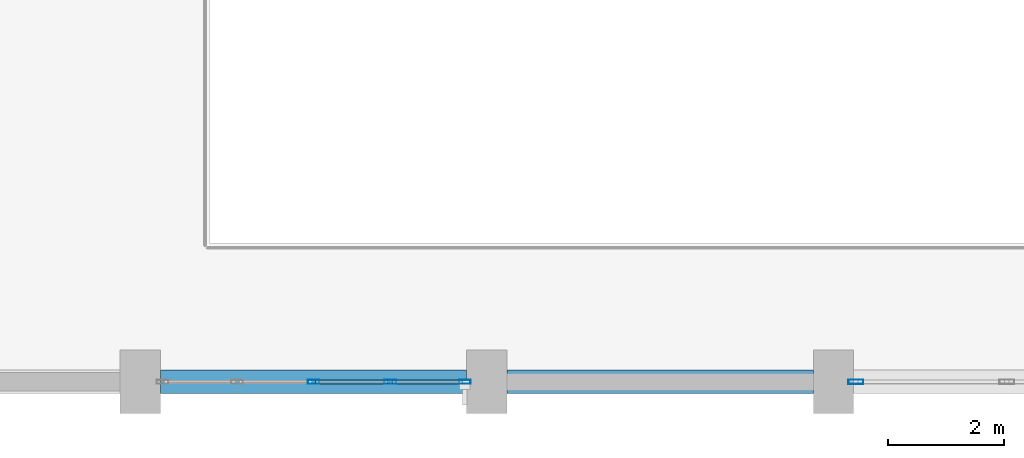
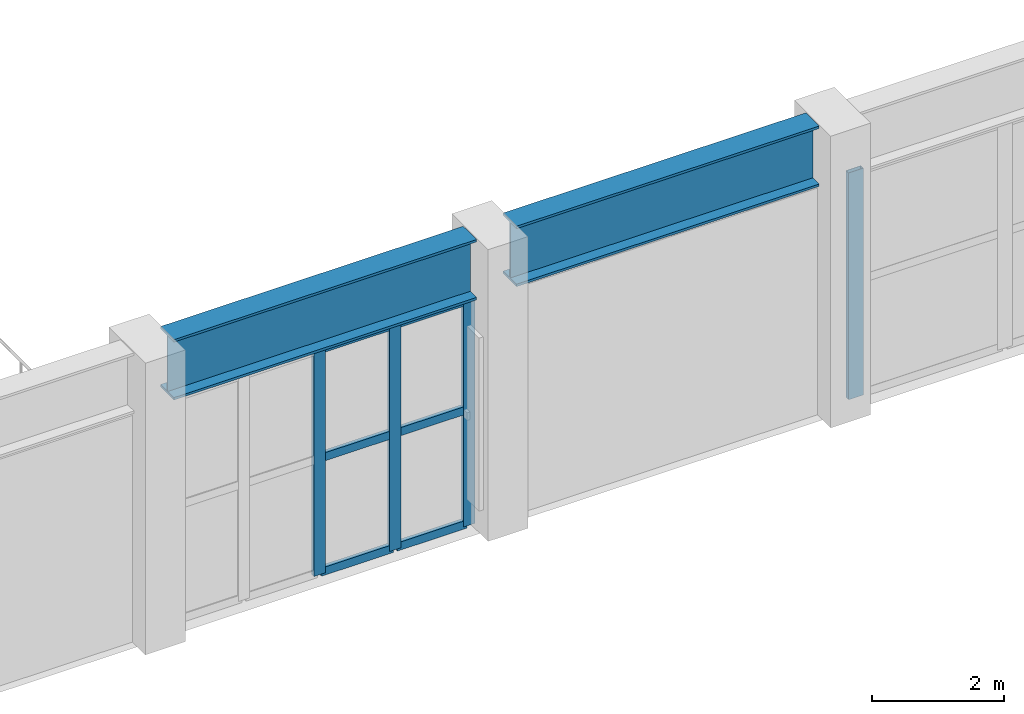
# One storey, part 5 of 41: 10 members, 2 beams, 2 elements without a shape of their own.
"""IFC4 building model written with IfcOpenShell, lengths in metres."""

from ifc_helpers import new_model, si_unit, direction, frame, origin, origin_2d, place, context, subcontext, project, spatial, hollow_rectangle, i_section, extrude, material, layer, layer_set, material_profile, profile_set, type_object, element, aggregate, save


model = new_model("IFC4")

# Units and contexts
model_context = context("Model", 3, precision=1e-05, world=origin(), true_north=direction((0.0, 1.0)))
body_context = subcontext(model_context, "Body", "Model", "MODEL_VIEW")
ifc_project = project(units=[si_unit("LENGTHUNIT", "METRE"), si_unit("AREAUNIT", "SQUARE_METRE"), si_unit("VOLUMEUNIT", "CUBIC_METRE"), si_unit("PLANEANGLEUNIT", "RADIAN"), si_unit("MASSUNIT", "GRAM", prefix="KILO")], contexts=[model_context])

# Site, building, storey
site_placement = place(None, origin())
site = spatial("IfcSite", under=ifc_project, at=site_placement, CompositionType="ELEMENT")
building_placement = place(site_placement, origin())
building = spatial("IfcBuilding", under=site, at=building_placement, Name="Vaelkrest Opera House", CompositionType="ELEMENT")
storey_placement = place(building_placement, frame((0.0, 0.0, 24.60009765625)))
storey = spatial("IfcBuildingStorey", under=building, at=storey_placement, Name="L05", CompositionType="ELEMENT", Elevation=24.60009765625)

# Curtain wall, members
ifc_material_1 = material(Name="Dark bronze anodized aluminium", Category="aluminium")
ifc_layer_1 = layer(ifc_material_1, 0.18994140625)
ifc_layer_set_1 = layer_set([ifc_layer_1], Name="Dark bronze anodized aluminium")
curtain_wall_type_1 = type_object("IfcCurtainWallType", Name="CW02", PredefinedType="NOTDEFINED", material=ifc_layer_set_1)
curtain_wall_1_placement = place(storey_placement, origin())
curtain_wall_1 = element("IfcCurtainWall", 1, at=curtain_wall_1_placement, inside=storey, type_object=curtain_wall_type_1, Name="Curtain wall CW-L05-072", PredefinedType="NOTDEFINED")
ifc_material_profile_1 = material_profile(ifc_material_1, hollow_rectangle(XDim=0.070068359375, YDim=0.199951171875, WallThickness=0.004150390625, at=origin_2d()), Name="CWM70X200")
ifc_profile_set_1 = profile_set([ifc_material_profile_1], Name="Dark bronze anodized aluminium")
member_type_1 = type_object("IfcMemberType", Name="CWM02", PredefinedType="MULLION", material=ifc_profile_set_1)
member_1_placement = place(storey_placement, frame((-18.383056640625, -55.800048828125, 0.0), z_axis=(0.0, 0.0, 1.0), x_axis=(0.0, -1.0, 0.0)))
member_1 = element("IfcMember", 2, at=member_1_placement, type_object=member_type_1, Name="CW02 mullion 1", PredefinedType="MULLION", context=body_context, shape_type="SweptSolid", body=[
    extrude(hollow_rectangle(XDim=0.070068359375, YDim=0.199951171875, WallThickness=0.004150390625, at=origin_2d()), origin(), (0.0, 0.0, 1.0), 4.197021484375),
])
member_2_placement = place(storey_placement, frame((-19.674072265625, -55.800048828125, 0.0), z_axis=(0.0, 0.0, 1.0), x_axis=(0.0, -1.0, 0.0)))
member_2 = element("IfcMember", 3, at=member_2_placement, type_object=member_type_1, Name="CW02 mullion 2", PredefinedType="MULLION", context=body_context, shape_type="SweptSolid", body=[
    extrude(hollow_rectangle(XDim=0.070068359375, YDim=0.199951171875, WallThickness=0.004150390625, at=origin_2d()), origin(), (0.0, 0.0, 1.0), 4.197021484375),
])
member_3_placement = place(storey_placement, frame((-21.0, -55.800048828125, 0.0), z_axis=(0.0, 0.0, 1.0), x_axis=(0.0, -1.0, 0.0)))
member_3 = element("IfcMember", 4, at=member_3_placement, type_object=member_type_1, Name="CW02 mullion 3", PredefinedType="MULLION", context=body_context, shape_type="SweptSolid", body=[
    extrude(hollow_rectangle(XDim=0.070068359375, YDim=0.199951171875, WallThickness=0.004150390625, at=origin_2d()), origin(), (0.0, 0.0, 1.0), 4.197021484375),
])

# Curtain wall, member
ifc_layer_2 = layer(ifc_material_1, 0.25)
ifc_layer_set_2 = layer_set([ifc_layer_2], Name="Dark bronze anodized aluminium")
curtain_wall_type_2 = type_object("IfcCurtainWallType", Name="CW08", PredefinedType="NOTDEFINED", material=ifc_layer_set_2)
curtain_wall_2_placement = place(storey_placement, origin())
curtain_wall_2 = element("IfcCurtainWall", 5, at=curtain_wall_2_placement, inside=storey, type_object=curtain_wall_type_2, Name="Curtain wall CW-L05-071", PredefinedType="NOTDEFINED")
ifc_material_profile_2 = material_profile(ifc_material_1, hollow_rectangle(XDim=0.080078125, YDim=0.260009765625, WallThickness=0.0048828125, at=origin_2d()), Name="CWM80X260")
ifc_profile_set_2 = profile_set([ifc_material_profile_2], Name="Dark bronze anodized aluminium")
member_type_2 = type_object("IfcMemberType", Name="CWM04", PredefinedType="MULLION", material=ifc_profile_set_2)
member_4_placement = place(storey_placement, frame((-11.612060546875, -55.800048828125, 0.0), z_axis=(0.0, 0.0, 1.0), x_axis=(0.0, -1.0, 0.0)))
member_4 = element("IfcMember", 6, at=member_4_placement, type_object=member_type_2, Name="CW08 mullion 3", PredefinedType="MULLION", context=body_context, shape_type="SweptSolid", body=[
    extrude(hollow_rectangle(XDim=0.080078125, YDim=0.260009765625, WallThickness=0.0048828125, at=origin_2d()), origin(), (0.0, 0.0, 1.0), 4.197021484375),
])
aggregate(curtain_wall_2, [member_4])

# Member
ifc_material_profile_3 = material_profile(ifc_material_1, hollow_rectangle(XDim=0.070068359375, YDim=0.14990234375, WallThickness=0.004150390625, at=origin_2d()), Name="CWT70X150")
ifc_profile_set_3 = profile_set([ifc_material_profile_3], Name="Dark bronze anodized aluminium")
member_type_3 = type_object("IfcMemberType", Name="CWT02", PredefinedType="USERDEFINED", material=ifc_profile_set_3)
member_5_placement = place(storey_placement, frame((-18.41796875, -55.800048828125, 0.034912109375), z_axis=(-1.0, 0.0, 0.0), x_axis=(0.0, -1.0, 0.0)))
member_5 = element("IfcMember", 7, at=member_5_placement, type_object=member_type_3, Name="CW02 transom 1.1", ObjectType="TRANSOM", PredefinedType="USERDEFINED", context=body_context, shape_type="SweptSolid", body=[
    extrude(hollow_rectangle(XDim=0.070068359375, YDim=0.14990234375, WallThickness=0.004150390625, at=origin_2d()), origin(), (0.0, 0.0, 1.0), 1.220947265625),
])

member_6_placement = place(storey_placement, frame((-18.41796875, -55.800048828125, 2.14990234375), z_axis=(-1.0, 0.0, 0.0), x_axis=(0.0, -1.0, 0.0)))
member_6 = element("IfcMember", 8, at=member_6_placement, type_object=member_type_3, Name="CW02 transom 1.2", ObjectType="TRANSOM", PredefinedType="USERDEFINED", context=body_context, shape_type="SweptSolid", body=[
    extrude(hollow_rectangle(XDim=0.070068359375, YDim=0.14990234375, WallThickness=0.004150390625, at=origin_2d()), origin(), (0.0, 0.0, 1.0), 1.220947265625),
])

member_7_placement = place(storey_placement, frame((-18.41796875, -55.800048828125, 4.161865234375), z_axis=(-1.0, 0.0, 0.0), x_axis=(0.0, -1.0, 0.0)))
member_7 = element("IfcMember", 9, at=member_7_placement, type_object=member_type_3, Name="CW02 transom 1.3", ObjectType="TRANSOM", PredefinedType="USERDEFINED", context=body_context, shape_type="SweptSolid", body=[
    extrude(hollow_rectangle(XDim=0.070068359375, YDim=0.14990234375, WallThickness=0.004150390625, at=origin_2d()), origin(), (0.0, 0.0, 1.0), 1.220947265625),
])

member_8_placement = place(storey_placement, frame((-19.708984375, -55.800048828125, 0.034912109375), z_axis=(-1.0, 0.0, 0.0), x_axis=(0.0, -1.0, 0.0)))
member_8 = element("IfcMember", 10, at=member_8_placement, type_object=member_type_3, Name="CW02 transom 2.1", ObjectType="TRANSOM", PredefinedType="USERDEFINED", context=body_context, shape_type="SweptSolid", body=[
    extrude(hollow_rectangle(XDim=0.070068359375, YDim=0.14990234375, WallThickness=0.004150390625, at=origin_2d()), origin(), (0.0, 0.0, 1.0), 1.256103515625),
])

member_9_placement = place(storey_placement, frame((-19.708984375, -55.800048828125, 2.14990234375), z_axis=(-1.0, 0.0, 0.0), x_axis=(0.0, -1.0, 0.0)))
member_9 = element("IfcMember", 11, at=member_9_placement, type_object=member_type_3, Name="CW02 transom 2.2", ObjectType="TRANSOM", PredefinedType="USERDEFINED", context=body_context, shape_type="SweptSolid", body=[
    extrude(hollow_rectangle(XDim=0.070068359375, YDim=0.14990234375, WallThickness=0.004150390625, at=origin_2d()), origin(), (0.0, 0.0, 1.0), 1.256103515625),
])

member_10_placement = place(storey_placement, frame((-19.708984375, -55.800048828125, 4.161865234375), z_axis=(-1.0, 0.0, 0.0), x_axis=(0.0, -1.0, 0.0)))
member_10 = element("IfcMember", 12, at=member_10_placement, type_object=member_type_3, Name="CW02 transom 2.3", ObjectType="TRANSOM", PredefinedType="USERDEFINED", context=body_context, shape_type="SweptSolid", body=[
    extrude(hollow_rectangle(XDim=0.070068359375, YDim=0.14990234375, WallThickness=0.004150390625, at=origin_2d()), origin(), (0.0, 0.0, 1.0), 1.256103515625),
])

aggregate(curtain_wall_1, [member_1, member_2, member_3, member_5, member_6, member_7, member_8, member_9, member_10])

# Beams
ifc_material_2 = material(Name="Steel A992 Gr50", Category="steel")
ifc_material_profile_4 = material_profile(ifc_material_2, i_section(OverallWidth=0.405029296875, OverallDepth=1.117919921875, WebThickness=0.02587890625, FlangeThickness=0.044921875, at=origin_2d()), Name="W44X335")
ifc_profile_set_4 = profile_set([ifc_material_profile_4], Name="Steel A992 Gr50")
beam_type = type_object("IfcBeamType", Name="SP05", PredefinedType="SPANDREL", material=ifc_profile_set_4)
for number, where, z_axis, x_axis, name in (
    (13, (-23.64990234375, -55.800048828125, 4.82080078125), (1.0, 0.0, 0.0), (0.0, 1.0, 0.0), "Beam BM-V1-L05-0628"),
    (14, (-17.64990234375, -55.800048828125, 4.82080078125), (1.0, 0.0, 0.0), (0.0, 1.0, 0.0), "Beam BM-V1-L05-0629"),
):
    element("IfcBeam", number, at=place(storey_placement, frame(where, z_axis=z_axis, x_axis=x_axis)), inside=storey, type_object=beam_type, Name=name, PredefinedType="SPANDREL", context=body_context, shape_type="SweptSolid", body=[
        extrude(i_section(OverallWidth=0.405029296875, OverallDepth=1.117919921875, WebThickness=0.02587890625, FlangeThickness=0.044921875, at=origin_2d()), origin(), (0.0, 0.0, 1.0), 5.2998046875),
    ])

save(model, "model.ifc")
